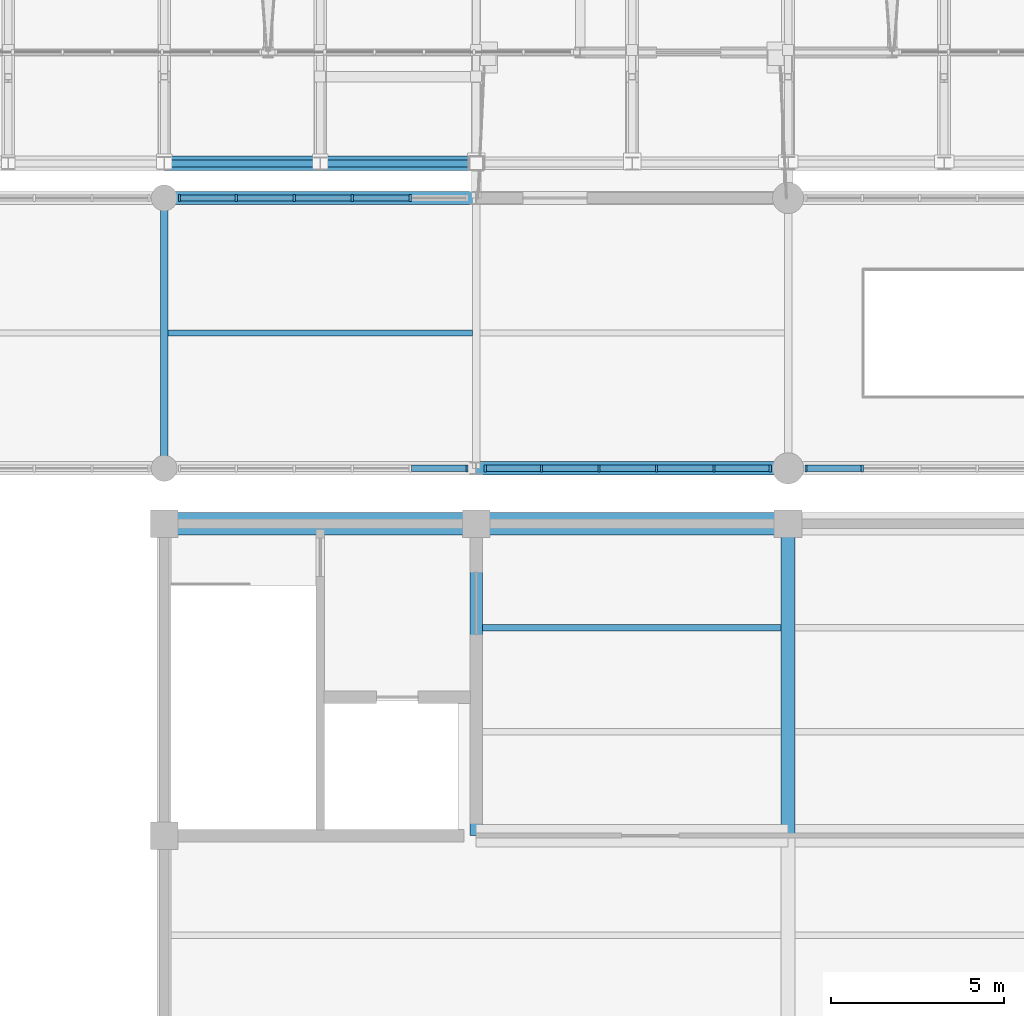
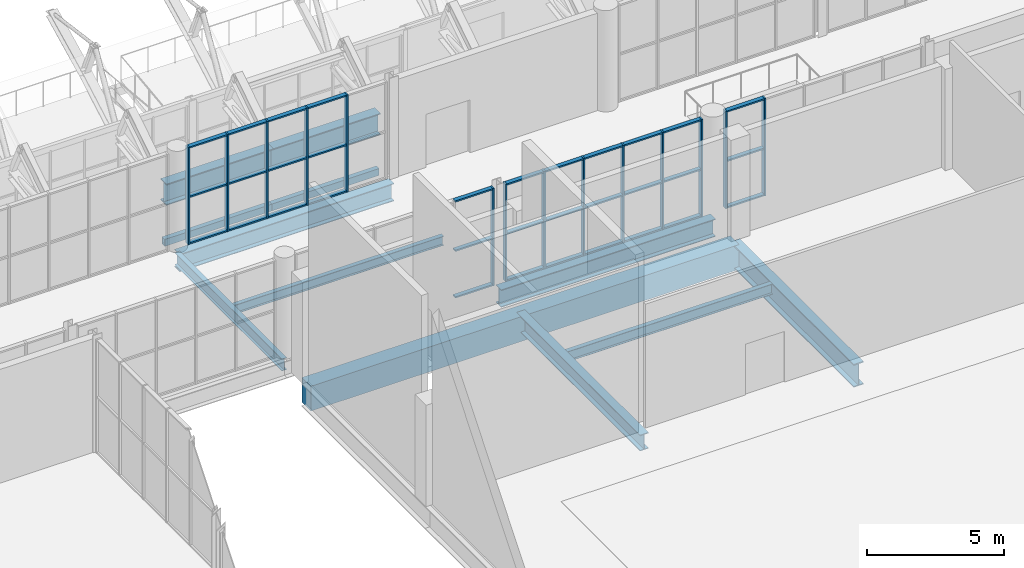
# One storey, part 36 of 134: 47 members, 12 beams, 4 elements without a shape of their own.
"""IFC4 building model written with IfcOpenShell, lengths in metres."""

import ifcopenshell
import ifcopenshell.guid

model = None  # the IFC model being written
_history = None  # IfcOwnerHistory: only IFC2X3 demands one
_inside = {}  # id of a spatial element -> (the spatial element, [elements in it])
_under = {}  # id of a project, library or spatial element -> (it, [spatial elements below it])
_declared = {}  # id of a project -> (the project, [libraries it declares])
_typed = {}  # id of a type object -> (the type object, [elements of that type])
_made_of = {}  # id of a material, layer set ... -> (it, [elements and type objects made of it])


def new_model(schema):
    """Start an empty IFC model of exactly this schema.

    Asked for "IFC4X3", IfcOpenShell would pick the latest addendum, in which some entities
    have other attributes; the version numbers below select the first issue.
    IFC2X3 requires an IfcOwnerHistory on every rooted entity: one is made here for all.
    """
    global model, _history
    if schema == "IFC4X3":
        model = ifcopenshell.file(schema_version=(4, 3, 0, 0))
    else:
        model = ifcopenshell.file(schema=schema)
    _inside.clear()
    _under.clear()
    _declared.clear()
    _typed.clear()
    _made_of.clear()
    _history = None
    if model.schema == "IFC2X3":
        org = make("IfcOrganization", Name="unknown")
        user = make(
            "IfcPersonAndOrganization",
            ThePerson=make("IfcPerson", FamilyName="unknown"),
            TheOrganization=org,
        )
        app = make(
            "IfcApplication",
            ApplicationDeveloper=org,
            Version="unknown",
            ApplicationFullName="unknown",
            ApplicationIdentifier="unknown",
        )
        _history = make(
            "IfcOwnerHistory",
            OwningUser=user,
            OwningApplication=app,
            ChangeAction="ADDED",
            CreationDate=0,
        )
    return model


def make(cls, **values):
    """One entity of the class cls with the attributes given. An attribute that is None is left unset."""
    return model.create_entity(
        cls, **{name: value for name, value in values.items() if value is not None}
    )


def rooted(cls, **values):
    """An entity with a GlobalId (a new one), such as an element, a storey or a relation."""
    return make(cls, GlobalId=ifcopenshell.guid.new(), OwnerHistory=_history, **values)


def si_unit(unit_type, name, prefix=None):
    """IfcSIUnit, for example si_unit("LENGTHUNIT", "METRE", prefix="MILLI")."""
    return make("IfcSIUnit", UnitType=unit_type, Prefix=prefix, Name=name)


def assignment(units):
    """IfcUnitAssignment: the units of a project."""
    return None if units is None else make("IfcUnitAssignment", Units=units)


def point(xyz):
    """IfcCartesianPoint."""
    return None if xyz is None else make("IfcCartesianPoint", Coordinates=xyz)


def direction(xyz):
    """IfcDirection."""
    return None if xyz is None else make("IfcDirection", DirectionRatios=xyz)


def frame(location, z_axis=None, x_axis=None):
    """IfcAxis2Placement3D, a coordinate frame: its origin and axes. An axis left out is left unset."""
    return make(
        "IfcAxis2Placement3D",
        Location=point(location),
        Axis=direction(z_axis),
        RefDirection=direction(x_axis),
    )


def frame_2d(location, x_axis=None):
    """IfcAxis2Placement2D, a coordinate frame in the plane: its origin and x axis."""
    return make(
        "IfcAxis2Placement2D", Location=point(location), RefDirection=direction(x_axis)
    )


def origin():
    """The frame at (0, 0, 0) with its axes left unset."""
    return frame((0.0, 0.0, 0.0))


def origin_2d():
    """The frame at (0, 0) in the plane with its x axis left unset."""
    return frame_2d((0.0, 0.0))


def place(relative_to, where):
    """IfcLocalPlacement: puts the frame where relative to a parent placement (None: the world)."""
    return make(
        "IfcLocalPlacement", PlacementRelTo=relative_to, RelativePlacement=where
    )


def context(
    kind, dimensions, precision=None, world=None, true_north=None, identifier=None
):
    """IfcGeometricRepresentationContext, for example the 3D "Model" context."""
    return make(
        "IfcGeometricRepresentationContext",
        ContextIdentifier=identifier,
        ContextType=kind,
        CoordinateSpaceDimension=dimensions,
        Precision=precision,
        WorldCoordinateSystem=world,
        TrueNorth=true_north,
    )


def subcontext(parent, identifier, kind, view, scale=None):
    """IfcGeometricRepresentationSubContext, for example "Body" below "Model"."""
    return make(
        "IfcGeometricRepresentationSubContext",
        ContextIdentifier=identifier,
        ContextType=kind,
        ParentContext=parent,
        TargetScale=scale,
        TargetView=view,
    )


def project(units=None, contexts=None):
    """IfcProject with its units and contexts."""
    return rooted(
        "IfcProject",
        Name="project",
        RepresentationContexts=contexts,
        UnitsInContext=assignment(units),
    )


def spatial(cls, under=None, at=None, **own):
    """A site, building, storey or space (cls), placed at a placement, below another one or the project."""
    s = rooted(cls, ObjectPlacement=at, **own)
    if under is not None:
        _under.setdefault(under.id(), (under, []))[1].append(s)
    return s


def profile(cls, at=None, kind="AREA", **sizes):
    """A parametric profile (cls). Its sizes go by their IFC names, for example OverallWidth=200.0."""
    return make(cls, ProfileType=kind, Position=at, **sizes)


def rectangle(**sizes):
    """IfcRectangleProfileDef."""
    return profile("IfcRectangleProfileDef", **sizes)


def hollow_rectangle(**sizes):
    """IfcRectangleHollowProfileDef."""
    return profile("IfcRectangleHollowProfileDef", **sizes)


def i_section(**sizes):
    """IfcIShapeProfileDef."""
    return profile("IfcIShapeProfileDef", **sizes)


def extrude(swept, where, along, depth):
    """IfcExtrudedAreaSolid: the profile swept, set in the frame where, extruded along a direction by depth."""
    return make(
        "IfcExtrudedAreaSolid",
        SweptArea=swept,
        Position=where,
        ExtrudedDirection=direction(along),
        Depth=depth,
    )


def shape(context_of_items, identifier, shape_type, items):
    """IfcShapeRepresentation: the items that make up one representation, for example the "Body"."""
    return make(
        "IfcShapeRepresentation",
        ContextOfItems=context_of_items,
        RepresentationIdentifier=identifier,
        RepresentationType=shape_type,
        Items=items,
    )


def material(Name=None, Category=None):
    """IfcMaterial."""
    return make("IfcMaterial", Name=Name, Category=Category)


def layer(
    of_material, thickness, ventilated=None, Name=None, Category=None, Priority=None
):
    """IfcMaterialLayer: one layer of a wall or slab, of a material (None: an air gap)."""
    return make(
        "IfcMaterialLayer",
        Material=of_material,
        LayerThickness=thickness,
        IsVentilated=ventilated,
        Name=Name,
        Category=Category,
        Priority=Priority,
    )


def layer_set(layers, Name=None):
    """IfcMaterialLayerSet."""
    return make("IfcMaterialLayerSet", MaterialLayers=layers, LayerSetName=Name)


def material_profile(
    of_material, cross_section, Name=None, Category=None, Priority=None
):
    """IfcMaterialProfile: a cross section and its material."""
    return make(
        "IfcMaterialProfile",
        Name=Name,
        Material=of_material,
        Profile=cross_section,
        Priority=Priority,
        Category=Category,
    )


def profile_set(profiles, Name=None, composite=None):
    """IfcMaterialProfileSet."""
    return make(
        "IfcMaterialProfileSet",
        Name=Name,
        MaterialProfiles=profiles,
        CompositeProfile=composite,
    )


def made_of(thing, what):
    """Note that an element or type object is made of a material, layer set ...; save() writes the relation."""
    if what is not None:
        _made_of.setdefault(what.id(), (what, []))[1].append(thing)
    return thing


def type_object(cls, material=None, **own):
    """A type object (cls), such as IfcWallType, which elements share."""
    return made_of(rooted(cls, **own), material)


def element(
    cls,
    number,
    at=None,
    inside=None,
    cuts=None,
    type_object=None,
    material=None,
    context=None,
    identifier="Body",
    shape_type=None,
    held_by="IfcProductDefinitionShape",
    body=None,
    shapes=None,
    **own,
):
    """One element of the class cls, such as IfcWall. Its Tag is "e" and its number.

    at: its placement. inside: the storey or other place that contains it. cuts: it is an
    opening in that element (IfcRelVoidsElement). A single representation is given by context,
    identifier, shape_type and body (its items); several are given by shapes. held_by: the class
    of the entity that holds the representations. save() writes the other relations.
    """
    e = rooted(cls, Tag="e%d" % number, ObjectPlacement=at, **own)
    if body is not None:
        shapes = [shape(context, identifier, shape_type, body)]
    if shapes is not None:
        e.Representation = make(held_by, Representations=shapes)
    if inside is not None:
        _inside.setdefault(inside.id(), (inside, []))[1].append(e)
    if cuts is not None:
        rooted(
            "IfcRelVoidsElement", RelatingBuildingElement=cuts, RelatedOpeningElement=e
        )
    if type_object is not None:
        _typed.setdefault(type_object.id(), (type_object, []))[1].append(e)
    return made_of(e, material)


def aggregate(whole, parts):
    """IfcRelAggregates: a whole, such as a stair, and the parts it consists of."""
    return rooted("IfcRelAggregates", RelatingObject=whole, RelatedObjects=parts)


def save(model, path):
    """Write the relations noted so far, then the file.

    IfcRelAggregates (storeys below a building ...), IfcRelContainedInSpatialStructure (elements
    in a storey), IfcRelDefinesByType, IfcRelAssociatesMaterial and IfcRelDeclares: one each for
    every whole, place, type object, material and project.
    """
    for whole, parts in _under.values():
        aggregate(whole, parts)
    for where, things in _inside.values():
        rooted(
            "IfcRelContainedInSpatialStructure",
            RelatedElements=things,
            RelatingStructure=where,
        )
    for kind, things in _typed.values():
        rooted("IfcRelDefinesByType", RelatedObjects=things, RelatingType=kind)
    for what, things in _made_of.values():
        rooted("IfcRelAssociatesMaterial", RelatedObjects=things, RelatingMaterial=what)
    for by, libraries in _declared.values():
        rooted("IfcRelDeclares", RelatingContext=by, RelatedDefinitions=libraries)
    model.write(path)


model = new_model("IFC4")

# Units and contexts
model_context = context("Model", 3, precision=1e-05, world=origin(), true_north=direction((0.0, 1.0)))
body_context = subcontext(model_context, "Body", "Model", "MODEL_VIEW")
ifc_project = project(units=[si_unit("LENGTHUNIT", "METRE"), si_unit("AREAUNIT", "SQUARE_METRE"), si_unit("VOLUMEUNIT", "CUBIC_METRE"), si_unit("PLANEANGLEUNIT", "RADIAN"), si_unit("MASSUNIT", "GRAM", prefix="KILO")], contexts=[model_context])

# Site, building, storey
site_placement = place(None, origin())
site = spatial("IfcSite", under=ifc_project, at=site_placement, CompositionType="ELEMENT")
building_placement = place(site_placement, origin())
building = spatial("IfcBuilding", under=site, at=building_placement, Name="Cazmaro Siding Exhibition Halls", CompositionType="ELEMENT")
storey_placement = place(building_placement, frame((0.0, 0.0, 12.0)))
storey = spatial("IfcBuildingStorey", under=building, at=storey_placement, Name="L02", CompositionType="ELEMENT", Elevation=12.0)

# Beam
ifc_material_1 = material(Name="Steel ASTM A992 Grade 50", Category="steel")
ifc_material_profile_1 = material_profile(ifc_material_1, i_section(OverallWidth=0.2099609375, OverallDepth=0.535888671875, WebThickness=0.010986328125, FlangeThickness=0.01708984375, at=origin_2d()), Name="W21X68")
ifc_profile_set_1 = profile_set([ifc_material_profile_1], Name="Steel ASTM A992 Grade 50")
beam_type_1 = type_object("IfcBeamType", Name="B-02", PredefinedType="BEAM", material=ifc_profile_set_1)
beam_1_placement = place(storey_placement, frame((72.0, 55.199951171875, -0.488037109375), z_axis=(0.0, 1.0, 0.0), x_axis=(-1.0, 0.0, 0.0)))
element("IfcBeam", 1, at=beam_1_placement, inside=storey, type_object=beam_type_1, Name="Beam B-02 BM-1697", PredefinedType="BEAM", context=body_context, shape_type="SweptSolid", body=[
    extrude(i_section(OverallWidth=0.2099609375, OverallDepth=0.535888671875, WebThickness=0.010986328125, FlangeThickness=0.01708984375, at=origin_2d()), origin(), (0.0, 0.0, 1.0), 7.800048828125),
])

# Curtain wall, member
ifc_material_2 = material(Name="Anodized Bronze Aluminum and Solar-Control Low-E Glazing", Category="aluminium")
ifc_layer = layer(ifc_material_2, 0.199951171875)
ifc_layer_set = layer_set([ifc_layer], Name="Anodized Bronze Aluminum and Solar-Control Low-E Glazing")
curtain_wall_type = type_object("IfcCurtainWallType", Name="CWS-02", PredefinedType="USERDEFINED", material=ifc_layer_set)
curtain_wall_1_placement = place(storey_placement, origin())
curtain_wall_1 = element("IfcCurtainWall", 2, at=curtain_wall_1_placement, inside=storey, type_object=curtain_wall_type, Name="Glazed Curtain Wall CWS-02 CW-164", ObjectType="GLAZED CURTAIN WALL", PredefinedType="USERDEFINED")
ifc_material_3 = material(Name="Anodized Bronze Extruded Aluminum", Category="aluminium")
ifc_material_profile_2 = material_profile(ifc_material_3, rectangle(XDim=0.199951171875, YDim=0.06494140625, at=origin_2d()), Name="CWM-02")
ifc_profile_set_2 = profile_set([ifc_material_profile_2], Name="Anodized Bronze Extruded Aluminum")
member_type_1 = type_object("IfcMemberType", Name="CWM-02", PredefinedType="MULLION", material=ifc_profile_set_2)
member_1_placement = place(storey_placement, frame((80.737548828125, 55.199951171875, 0.0), z_axis=(0.0, 0.0, 1.0), x_axis=(0.0, 1.0, 0.0)))
member_1 = element("IfcMember", 3, at=member_1_placement, type_object=member_type_1, Name="CWS-02 mullion 6", PredefinedType="MULLION", context=body_context, shape_type="SweptSolid", body=[
    extrude(rectangle(XDim=0.199951171875, YDim=0.06494140625, at=origin_2d()), origin(), (0.0, 0.0, 1.0), 4.324951171875),
])

# Curtain wall, members
curtain_wall_2_placement = place(storey_placement, origin())
curtain_wall_2 = element("IfcCurtainWall", 4, at=curtain_wall_2_placement, inside=storey, type_object=curtain_wall_type, Name="Glazed Curtain Wall CWS-02 CW-166", ObjectType="GLAZED CURTAIN WALL", PredefinedType="USERDEFINED")
member_2_placement = place(storey_placement, frame((79.09765625, 63.0, 0.0), z_axis=(0.0, 0.0, 1.0), x_axis=(0.0, -1.0, 0.0)))
member_2 = element("IfcMember", 5, at=member_2_placement, type_object=member_type_1, Name="CWS-02 mullion 2", PredefinedType="MULLION", context=body_context, shape_type="SweptSolid", body=[
    extrude(rectangle(XDim=0.199951171875, YDim=0.06494140625, at=origin_2d()), origin(), (0.0, 0.0, 1.0), 4.324951171875),
])
member_3_placement = place(storey_placement, frame((77.42529296875, 63.0, 0.0), z_axis=(0.0, 0.0, 1.0), x_axis=(0.0, -1.0, 0.0)))
member_3 = element("IfcMember", 6, at=member_3_placement, type_object=member_type_1, Name="CWS-02 mullion 3", PredefinedType="MULLION", context=body_context, shape_type="SweptSolid", body=[
    extrude(rectangle(XDim=0.199951171875, YDim=0.06494140625, at=origin_2d()), origin(), (0.0, 0.0, 1.0), 4.324951171875),
])
member_4_placement = place(storey_placement, frame((75.752685546875, 63.0, 0.0), z_axis=(0.0, 0.0, 1.0), x_axis=(0.0, -1.0, 0.0)))
member_4 = element("IfcMember", 7, at=member_4_placement, type_object=member_type_1, Name="CWS-02 mullion 4", PredefinedType="MULLION", context=body_context, shape_type="SweptSolid", body=[
    extrude(rectangle(XDim=0.199951171875, YDim=0.06494140625, at=origin_2d()), origin(), (0.0, 0.0, 1.0), 4.324951171875),
])
member_5_placement = place(storey_placement, frame((74.080322265625, 63.0, 0.0), z_axis=(0.0, 0.0, 1.0), x_axis=(0.0, -1.0, 0.0)))
member_5 = element("IfcMember", 8, at=member_5_placement, type_object=member_type_1, Name="CWS-02 mullion 5", PredefinedType="MULLION", context=body_context, shape_type="SweptSolid", body=[
    extrude(rectangle(XDim=0.199951171875, YDim=0.06494140625, at=origin_2d()), origin(), (0.0, 0.0, 1.0), 4.324951171875),
])
member_6_placement = place(storey_placement, frame((72.4404296875, 63.0, 0.0), z_axis=(0.0, 0.0, 1.0), x_axis=(0.0, -1.0, 0.0)))
member_6 = element("IfcMember", 9, at=member_6_placement, type_object=member_type_1, Name="CWS-02 mullion 6", PredefinedType="MULLION", context=body_context, shape_type="SweptSolid", body=[
    extrude(rectangle(XDim=0.199951171875, YDim=0.06494140625, at=origin_2d()), origin(), (0.0, 0.0, 1.0), 4.324951171875),
])

curtain_wall_3_placement = place(storey_placement, origin())
curtain_wall_3 = element("IfcCurtainWall", 10, at=curtain_wall_3_placement, inside=storey, type_object=curtain_wall_type, Name="Glazed Curtain Wall CWS-02 CW-169", ObjectType="GLAZED CURTAIN WALL", PredefinedType="USERDEFINED")
member_7_placement = place(storey_placement, frame((81.262451171875, 55.199951171875, 0.0), z_axis=(0.0, 0.0, 1.0), x_axis=(0.0, 1.0, 0.0)))
member_7 = element("IfcMember", 11, at=member_7_placement, type_object=member_type_1, Name="CWS-02 mullion 1", PredefinedType="MULLION", context=body_context, shape_type="SweptSolid", body=[
    extrude(rectangle(XDim=0.199951171875, YDim=0.06494140625, at=origin_2d()), origin(), (0.0, 0.0, 1.0), 4.324951171875),
])
member_8_placement = place(storey_placement, frame((82.887451171875, 55.199951171875, 0.0), z_axis=(0.0, 0.0, 1.0), x_axis=(0.0, 1.0, 0.0)))
member_8 = element("IfcMember", 12, at=member_8_placement, type_object=member_type_1, Name="CWS-02 mullion 2", PredefinedType="MULLION", context=body_context, shape_type="SweptSolid", body=[
    extrude(rectangle(XDim=0.199951171875, YDim=0.06494140625, at=origin_2d()), origin(), (0.0, 0.0, 1.0), 4.324951171875),
])
member_9_placement = place(storey_placement, frame((84.544921875, 55.199951171875, 0.0), z_axis=(0.0, 0.0, 1.0), x_axis=(0.0, 1.0, 0.0)))
member_9 = element("IfcMember", 13, at=member_9_placement, type_object=member_type_1, Name="CWS-02 mullion 3", PredefinedType="MULLION", context=body_context, shape_type="SweptSolid", body=[
    extrude(rectangle(XDim=0.199951171875, YDim=0.06494140625, at=origin_2d()), origin(), (0.0, 0.0, 1.0), 4.324951171875),
])
member_10_placement = place(storey_placement, frame((86.2021484375, 55.199951171875, 0.0), z_axis=(0.0, 0.0, 1.0), x_axis=(0.0, 1.0, 0.0)))
member_10 = element("IfcMember", 14, at=member_10_placement, type_object=member_type_1, Name="CWS-02 mullion 4", PredefinedType="MULLION", context=body_context, shape_type="SweptSolid", body=[
    extrude(rectangle(XDim=0.199951171875, YDim=0.06494140625, at=origin_2d()), origin(), (0.0, 0.0, 1.0), 4.324951171875),
])
member_11_placement = place(storey_placement, frame((87.859619140625, 55.199951171875, 0.0), z_axis=(0.0, 0.0, 1.0), x_axis=(0.0, 1.0, 0.0)))
member_11 = element("IfcMember", 15, at=member_11_placement, type_object=member_type_1, Name="CWS-02 mullion 5", PredefinedType="MULLION", context=body_context, shape_type="SweptSolid", body=[
    extrude(rectangle(XDim=0.199951171875, YDim=0.06494140625, at=origin_2d()), origin(), (0.0, 0.0, 1.0), 4.324951171875),
])
member_12_placement = place(storey_placement, frame((89.484619140625, 55.199951171875, 0.0), z_axis=(0.0, 0.0, 1.0), x_axis=(0.0, 1.0, 0.0)))
member_12 = element("IfcMember", 16, at=member_12_placement, type_object=member_type_1, Name="CWS-02 mullion 6", PredefinedType="MULLION", context=body_context, shape_type="SweptSolid", body=[
    extrude(rectangle(XDim=0.199951171875, YDim=0.06494140625, at=origin_2d()), origin(), (0.0, 0.0, 1.0), 4.324951171875),
])

curtain_wall_4_placement = place(storey_placement, origin())
curtain_wall_4 = element("IfcCurtainWall", 17, at=curtain_wall_4_placement, inside=storey, type_object=curtain_wall_type, Name="Glazed Curtain Wall CWS-02 CW-173", ObjectType="GLAZED CURTAIN WALL", PredefinedType="USERDEFINED")
member_13_placement = place(storey_placement, frame((90.515380859375, 55.199951171875, 0.0), z_axis=(0.0, 0.0, 1.0), x_axis=(0.0, 1.0, 0.0)))
member_13 = element("IfcMember", 18, at=member_13_placement, type_object=member_type_1, Name="CWS-02 mullion 1", PredefinedType="MULLION", context=body_context, shape_type="SweptSolid", body=[
    extrude(rectangle(XDim=0.199951171875, YDim=0.06494140625, at=origin_2d()), origin(), (0.0, 0.0, 1.0), 4.324951171875),
])
member_14_placement = place(storey_placement, frame((92.140380859375, 55.199951171875, 0.0), z_axis=(0.0, 0.0, 1.0), x_axis=(0.0, 1.0, 0.0)))
member_14 = element("IfcMember", 19, at=member_14_placement, type_object=member_type_1, Name="CWS-02 mullion 2", PredefinedType="MULLION", context=body_context, shape_type="SweptSolid", body=[
    extrude(rectangle(XDim=0.199951171875, YDim=0.06494140625, at=origin_2d()), origin(), (0.0, 0.0, 1.0), 4.324951171875),
])

# Member
ifc_material_4 = material(Name="Anodized Bronze Extruded Aluminum", Category="aluminium")
ifc_material_profile_3 = material_profile(ifc_material_4, rectangle(XDim=0.179931640625, YDim=0.06494140625, at=origin_2d()), Name="CWT-02")
ifc_profile_set_3 = profile_set([ifc_material_profile_3], Name="Anodized Bronze Extruded Aluminum")
member_type_2 = type_object("IfcMemberType", Name="CWT-02", PredefinedType="MULLION", material=ifc_profile_set_3)
member_15_placement = place(storey_placement, frame((79.130126953125, 55.199951171875, 0.032470703125), z_axis=(1.0, 0.0, 0.0), x_axis=(0.0, 1.0, 0.0)))
member_15 = element("IfcMember", 20, at=member_15_placement, type_object=member_type_2, Name="CWS-02 transom 5.1", ObjectType="TRANSOM", PredefinedType="USERDEFINED", context=body_context, shape_type="SweptSolid", body=[
    extrude(rectangle(XDim=0.179931640625, YDim=0.06494140625, at=origin_2d()), origin(), (0.0, 0.0, 1.0), 1.574951171875),
])

member_16_placement = place(storey_placement, frame((79.130126953125, 55.199951171875, 2.10009765625), z_axis=(1.0, 0.0, 0.0), x_axis=(0.0, 1.0, 0.0)))
member_16 = element("IfcMember", 21, at=member_16_placement, type_object=member_type_2, Name="CWS-02 transom 5.2", ObjectType="TRANSOM", PredefinedType="USERDEFINED", context=body_context, shape_type="SweptSolid", body=[
    extrude(rectangle(XDim=0.179931640625, YDim=0.06494140625, at=origin_2d()), origin(), (0.0, 0.0, 1.0), 1.574951171875),
])

member_17_placement = place(storey_placement, frame((79.130126953125, 55.199951171875, 4.29248046875), z_axis=(1.0, 0.0, 0.0), x_axis=(0.0, 1.0, 0.0)))
member_17 = element("IfcMember", 22, at=member_17_placement, type_object=member_type_2, Name="CWS-02 transom 5.3", ObjectType="TRANSOM", PredefinedType="USERDEFINED", context=body_context, shape_type="SweptSolid", body=[
    extrude(rectangle(XDim=0.179931640625, YDim=0.06494140625, at=origin_2d()), origin(), (0.0, 0.0, 1.0), 1.574951171875),
])

aggregate(curtain_wall_1, [member_1, member_15, member_16, member_17])

member_18_placement = place(storey_placement, frame((79.065185546875, 63.0, 0.032470703125), z_axis=(-1.0, 0.0, 0.0), x_axis=(0.0, -1.0, 0.0)))
member_18 = element("IfcMember", 23, at=member_18_placement, type_object=member_type_2, Name="CWS-02 transom 2.1", ObjectType="TRANSOM", PredefinedType="USERDEFINED", context=body_context, shape_type="SweptSolid", body=[
    extrude(rectangle(XDim=0.179931640625, YDim=0.06494140625, at=origin_2d()), origin(), (0.0, 0.0, 1.0), 1.607421875),
])

member_19_placement = place(storey_placement, frame((79.065185546875, 63.0, 2.10009765625), z_axis=(-1.0, 0.0, 0.0), x_axis=(0.0, -1.0, 0.0)))
member_19 = element("IfcMember", 24, at=member_19_placement, type_object=member_type_2, Name="CWS-02 transom 2.2", ObjectType="TRANSOM", PredefinedType="USERDEFINED", context=body_context, shape_type="SweptSolid", body=[
    extrude(rectangle(XDim=0.179931640625, YDim=0.06494140625, at=origin_2d()), origin(), (0.0, 0.0, 1.0), 1.607421875),
])

member_20_placement = place(storey_placement, frame((79.065185546875, 63.0, 4.29248046875), z_axis=(-1.0, 0.0, 0.0), x_axis=(0.0, -1.0, 0.0)))
member_20 = element("IfcMember", 25, at=member_20_placement, type_object=member_type_2, Name="CWS-02 transom 2.3", ObjectType="TRANSOM", PredefinedType="USERDEFINED", context=body_context, shape_type="SweptSolid", body=[
    extrude(rectangle(XDim=0.179931640625, YDim=0.06494140625, at=origin_2d()), origin(), (0.0, 0.0, 1.0), 1.607421875),
])

member_21_placement = place(storey_placement, frame((77.392578125, 63.0, 0.032470703125), z_axis=(-1.0, 0.0, 0.0), x_axis=(0.0, -1.0, 0.0)))
member_21 = element("IfcMember", 26, at=member_21_placement, type_object=member_type_2, Name="CWS-02 transom 3.1", ObjectType="TRANSOM", PredefinedType="USERDEFINED", context=body_context, shape_type="SweptSolid", body=[
    extrude(rectangle(XDim=0.179931640625, YDim=0.06494140625, at=origin_2d()), origin(), (0.0, 0.0, 1.0), 1.607177734375),
])

member_22_placement = place(storey_placement, frame((77.392578125, 63.0, 2.10009765625), z_axis=(-1.0, 0.0, 0.0), x_axis=(0.0, -1.0, 0.0)))
member_22 = element("IfcMember", 27, at=member_22_placement, type_object=member_type_2, Name="CWS-02 transom 3.2", ObjectType="TRANSOM", PredefinedType="USERDEFINED", context=body_context, shape_type="SweptSolid", body=[
    extrude(rectangle(XDim=0.179931640625, YDim=0.06494140625, at=origin_2d()), origin(), (0.0, 0.0, 1.0), 1.607177734375),
])

member_23_placement = place(storey_placement, frame((77.392578125, 63.0, 4.29248046875), z_axis=(-1.0, 0.0, 0.0), x_axis=(0.0, -1.0, 0.0)))
member_23 = element("IfcMember", 28, at=member_23_placement, type_object=member_type_2, Name="CWS-02 transom 3.3", ObjectType="TRANSOM", PredefinedType="USERDEFINED", context=body_context, shape_type="SweptSolid", body=[
    extrude(rectangle(XDim=0.179931640625, YDim=0.06494140625, at=origin_2d()), origin(), (0.0, 0.0, 1.0), 1.607177734375),
])

member_24_placement = place(storey_placement, frame((75.72021484375, 63.0, 0.032470703125), z_axis=(-1.0, 0.0, 0.0), x_axis=(0.0, -1.0, 0.0)))
member_24 = element("IfcMember", 29, at=member_24_placement, type_object=member_type_2, Name="CWS-02 transom 4.1", ObjectType="TRANSOM", PredefinedType="USERDEFINED", context=body_context, shape_type="SweptSolid", body=[
    extrude(rectangle(XDim=0.179931640625, YDim=0.06494140625, at=origin_2d()), origin(), (0.0, 0.0, 1.0), 1.607421875),
])

member_25_placement = place(storey_placement, frame((75.72021484375, 63.0, 2.10009765625), z_axis=(-1.0, 0.0, 0.0), x_axis=(0.0, -1.0, 0.0)))
member_25 = element("IfcMember", 30, at=member_25_placement, type_object=member_type_2, Name="CWS-02 transom 4.2", ObjectType="TRANSOM", PredefinedType="USERDEFINED", context=body_context, shape_type="SweptSolid", body=[
    extrude(rectangle(XDim=0.179931640625, YDim=0.06494140625, at=origin_2d()), origin(), (0.0, 0.0, 1.0), 1.607421875),
])

member_26_placement = place(storey_placement, frame((75.72021484375, 63.0, 4.29248046875), z_axis=(-1.0, 0.0, 0.0), x_axis=(0.0, -1.0, 0.0)))
member_26 = element("IfcMember", 31, at=member_26_placement, type_object=member_type_2, Name="CWS-02 transom 4.3", ObjectType="TRANSOM", PredefinedType="USERDEFINED", context=body_context, shape_type="SweptSolid", body=[
    extrude(rectangle(XDim=0.179931640625, YDim=0.06494140625, at=origin_2d()), origin(), (0.0, 0.0, 1.0), 1.607421875),
])

member_27_placement = place(storey_placement, frame((74.0478515625, 63.0, 0.032470703125), z_axis=(-1.0, 0.0, 0.0), x_axis=(0.0, -1.0, 0.0)))
member_27 = element("IfcMember", 32, at=member_27_placement, type_object=member_type_2, Name="CWS-02 transom 5.1", ObjectType="TRANSOM", PredefinedType="USERDEFINED", context=body_context, shape_type="SweptSolid", body=[
    extrude(rectangle(XDim=0.179931640625, YDim=0.06494140625, at=origin_2d()), origin(), (0.0, 0.0, 1.0), 1.574951171875),
])

member_28_placement = place(storey_placement, frame((74.0478515625, 63.0, 2.10009765625), z_axis=(-1.0, 0.0, 0.0), x_axis=(0.0, -1.0, 0.0)))
member_28 = element("IfcMember", 33, at=member_28_placement, type_object=member_type_2, Name="CWS-02 transom 5.2", ObjectType="TRANSOM", PredefinedType="USERDEFINED", context=body_context, shape_type="SweptSolid", body=[
    extrude(rectangle(XDim=0.179931640625, YDim=0.06494140625, at=origin_2d()), origin(), (0.0, 0.0, 1.0), 1.574951171875),
])

member_29_placement = place(storey_placement, frame((74.0478515625, 63.0, 4.29248046875), z_axis=(-1.0, 0.0, 0.0), x_axis=(0.0, -1.0, 0.0)))
member_29 = element("IfcMember", 34, at=member_29_placement, type_object=member_type_2, Name="CWS-02 transom 5.3", ObjectType="TRANSOM", PredefinedType="USERDEFINED", context=body_context, shape_type="SweptSolid", body=[
    extrude(rectangle(XDim=0.179931640625, YDim=0.06494140625, at=origin_2d()), origin(), (0.0, 0.0, 1.0), 1.574951171875),
])

aggregate(curtain_wall_2, [member_2, member_3, member_4, member_5, member_6, member_18, member_19, member_20, member_21, member_22, member_23, member_24, member_25, member_26, member_27, member_28, member_29])

member_30_placement = place(storey_placement, frame((81.294921875, 55.199951171875, 0.032470703125), z_axis=(1.0, 0.0, 0.0), x_axis=(0.0, 1.0, 0.0)))
member_30 = element("IfcMember", 35, at=member_30_placement, type_object=member_type_2, Name="CWS-02 transom 1.1", ObjectType="TRANSOM", PredefinedType="USERDEFINED", context=body_context, shape_type="SweptSolid", body=[
    extrude(rectangle(XDim=0.179931640625, YDim=0.06494140625, at=origin_2d()), origin(), (0.0, 0.0, 1.0), 1.56005859375),
])

member_31_placement = place(storey_placement, frame((81.294921875, 55.199951171875, 2.10009765625), z_axis=(1.0, 0.0, 0.0), x_axis=(0.0, 1.0, 0.0)))
member_31 = element("IfcMember", 36, at=member_31_placement, type_object=member_type_2, Name="CWS-02 transom 1.2", ObjectType="TRANSOM", PredefinedType="USERDEFINED", context=body_context, shape_type="SweptSolid", body=[
    extrude(rectangle(XDim=0.179931640625, YDim=0.06494140625, at=origin_2d()), origin(), (0.0, 0.0, 1.0), 1.56005859375),
])

member_32_placement = place(storey_placement, frame((81.294921875, 55.199951171875, 4.29248046875), z_axis=(1.0, 0.0, 0.0), x_axis=(0.0, 1.0, 0.0)))
member_32 = element("IfcMember", 37, at=member_32_placement, type_object=member_type_2, Name="CWS-02 transom 1.3", ObjectType="TRANSOM", PredefinedType="USERDEFINED", context=body_context, shape_type="SweptSolid", body=[
    extrude(rectangle(XDim=0.179931640625, YDim=0.06494140625, at=origin_2d()), origin(), (0.0, 0.0, 1.0), 1.56005859375),
])

member_33_placement = place(storey_placement, frame((82.919921875, 55.199951171875, 0.032470703125), z_axis=(1.0, 0.0, 0.0), x_axis=(0.0, 1.0, 0.0)))
member_33 = element("IfcMember", 38, at=member_33_placement, type_object=member_type_2, Name="CWS-02 transom 2.1", ObjectType="TRANSOM", PredefinedType="USERDEFINED", context=body_context, shape_type="SweptSolid", body=[
    extrude(rectangle(XDim=0.179931640625, YDim=0.06494140625, at=origin_2d()), origin(), (0.0, 0.0, 1.0), 1.59228515625),
])

member_34_placement = place(storey_placement, frame((82.919921875, 55.199951171875, 2.10009765625), z_axis=(1.0, 0.0, 0.0), x_axis=(0.0, 1.0, 0.0)))
member_34 = element("IfcMember", 39, at=member_34_placement, type_object=member_type_2, Name="CWS-02 transom 2.2", ObjectType="TRANSOM", PredefinedType="USERDEFINED", context=body_context, shape_type="SweptSolid", body=[
    extrude(rectangle(XDim=0.179931640625, YDim=0.06494140625, at=origin_2d()), origin(), (0.0, 0.0, 1.0), 1.59228515625),
])

member_35_placement = place(storey_placement, frame((82.919921875, 55.199951171875, 4.29248046875), z_axis=(1.0, 0.0, 0.0), x_axis=(0.0, 1.0, 0.0)))
member_35 = element("IfcMember", 40, at=member_35_placement, type_object=member_type_2, Name="CWS-02 transom 2.3", ObjectType="TRANSOM", PredefinedType="USERDEFINED", context=body_context, shape_type="SweptSolid", body=[
    extrude(rectangle(XDim=0.179931640625, YDim=0.06494140625, at=origin_2d()), origin(), (0.0, 0.0, 1.0), 1.59228515625),
])

member_36_placement = place(storey_placement, frame((84.577392578125, 55.199951171875, 0.032470703125), z_axis=(1.0, 0.0, 0.0), x_axis=(0.0, 1.0, 0.0)))
member_36 = element("IfcMember", 41, at=member_36_placement, type_object=member_type_2, Name="CWS-02 transom 3.1", ObjectType="TRANSOM", PredefinedType="USERDEFINED", context=body_context, shape_type="SweptSolid", body=[
    extrude(rectangle(XDim=0.179931640625, YDim=0.06494140625, at=origin_2d()), origin(), (0.0, 0.0, 1.0), 1.59228515625),
])

member_37_placement = place(storey_placement, frame((84.577392578125, 55.199951171875, 2.10009765625), z_axis=(1.0, 0.0, 0.0), x_axis=(0.0, 1.0, 0.0)))
member_37 = element("IfcMember", 42, at=member_37_placement, type_object=member_type_2, Name="CWS-02 transom 3.2", ObjectType="TRANSOM", PredefinedType="USERDEFINED", context=body_context, shape_type="SweptSolid", body=[
    extrude(rectangle(XDim=0.179931640625, YDim=0.06494140625, at=origin_2d()), origin(), (0.0, 0.0, 1.0), 1.59228515625),
])

member_38_placement = place(storey_placement, frame((84.577392578125, 55.199951171875, 4.29248046875), z_axis=(1.0, 0.0, 0.0), x_axis=(0.0, 1.0, 0.0)))
member_38 = element("IfcMember", 43, at=member_38_placement, type_object=member_type_2, Name="CWS-02 transom 3.3", ObjectType="TRANSOM", PredefinedType="USERDEFINED", context=body_context, shape_type="SweptSolid", body=[
    extrude(rectangle(XDim=0.179931640625, YDim=0.06494140625, at=origin_2d()), origin(), (0.0, 0.0, 1.0), 1.59228515625),
])

member_39_placement = place(storey_placement, frame((86.234619140625, 55.199951171875, 0.032470703125), z_axis=(1.0, 0.0, 0.0), x_axis=(0.0, 1.0, 0.0)))
member_39 = element("IfcMember", 44, at=member_39_placement, type_object=member_type_2, Name="CWS-02 transom 4.1", ObjectType="TRANSOM", PredefinedType="USERDEFINED", context=body_context, shape_type="SweptSolid", body=[
    extrude(rectangle(XDim=0.179931640625, YDim=0.06494140625, at=origin_2d()), origin(), (0.0, 0.0, 1.0), 1.592529296875),
])

member_40_placement = place(storey_placement, frame((86.234619140625, 55.199951171875, 2.10009765625), z_axis=(1.0, 0.0, 0.0), x_axis=(0.0, 1.0, 0.0)))
member_40 = element("IfcMember", 45, at=member_40_placement, type_object=member_type_2, Name="CWS-02 transom 4.2", ObjectType="TRANSOM", PredefinedType="USERDEFINED", context=body_context, shape_type="SweptSolid", body=[
    extrude(rectangle(XDim=0.179931640625, YDim=0.06494140625, at=origin_2d()), origin(), (0.0, 0.0, 1.0), 1.592529296875),
])

member_41_placement = place(storey_placement, frame((86.234619140625, 55.199951171875, 4.29248046875), z_axis=(1.0, 0.0, 0.0), x_axis=(0.0, 1.0, 0.0)))
member_41 = element("IfcMember", 46, at=member_41_placement, type_object=member_type_2, Name="CWS-02 transom 4.3", ObjectType="TRANSOM", PredefinedType="USERDEFINED", context=body_context, shape_type="SweptSolid", body=[
    extrude(rectangle(XDim=0.179931640625, YDim=0.06494140625, at=origin_2d()), origin(), (0.0, 0.0, 1.0), 1.592529296875),
])

member_42_placement = place(storey_placement, frame((87.89208984375, 55.199951171875, 0.032470703125), z_axis=(1.0, 0.0, 0.0), x_axis=(0.0, 1.0, 0.0)))
member_42 = element("IfcMember", 47, at=member_42_placement, type_object=member_type_2, Name="CWS-02 transom 5.1", ObjectType="TRANSOM", PredefinedType="USERDEFINED", context=body_context, shape_type="SweptSolid", body=[
    extrude(rectangle(XDim=0.179931640625, YDim=0.06494140625, at=origin_2d()), origin(), (0.0, 0.0, 1.0), 1.559814453125),
])

member_43_placement = place(storey_placement, frame((87.89208984375, 55.199951171875, 2.10009765625), z_axis=(1.0, 0.0, 0.0), x_axis=(0.0, 1.0, 0.0)))
member_43 = element("IfcMember", 48, at=member_43_placement, type_object=member_type_2, Name="CWS-02 transom 5.2", ObjectType="TRANSOM", PredefinedType="USERDEFINED", context=body_context, shape_type="SweptSolid", body=[
    extrude(rectangle(XDim=0.179931640625, YDim=0.06494140625, at=origin_2d()), origin(), (0.0, 0.0, 1.0), 1.559814453125),
])

member_44_placement = place(storey_placement, frame((87.89208984375, 55.199951171875, 4.29248046875), z_axis=(1.0, 0.0, 0.0), x_axis=(0.0, 1.0, 0.0)))
member_44 = element("IfcMember", 49, at=member_44_placement, type_object=member_type_2, Name="CWS-02 transom 5.3", ObjectType="TRANSOM", PredefinedType="USERDEFINED", context=body_context, shape_type="SweptSolid", body=[
    extrude(rectangle(XDim=0.179931640625, YDim=0.06494140625, at=origin_2d()), origin(), (0.0, 0.0, 1.0), 1.559814453125),
])

aggregate(curtain_wall_3, [member_7, member_8, member_9, member_10, member_11, member_12, member_30, member_31, member_32, member_33, member_34, member_35, member_36, member_37, member_38, member_39, member_40, member_41, member_42, member_43, member_44])

member_45_placement = place(storey_placement, frame((90.548095703125, 55.199951171875, 0.032470703125), z_axis=(1.0, 0.0, 0.0), x_axis=(0.0, 1.0, 0.0)))
member_45 = element("IfcMember", 50, at=member_45_placement, type_object=member_type_2, Name="CWS-02 transom 1.1", ObjectType="TRANSOM", PredefinedType="USERDEFINED", context=body_context, shape_type="SweptSolid", body=[
    extrude(rectangle(XDim=0.179931640625, YDim=0.06494140625, at=origin_2d()), origin(), (0.0, 0.0, 1.0), 1.559814453125),
])

member_46_placement = place(storey_placement, frame((90.548095703125, 55.199951171875, 2.10009765625), z_axis=(1.0, 0.0, 0.0), x_axis=(0.0, 1.0, 0.0)))
member_46 = element("IfcMember", 51, at=member_46_placement, type_object=member_type_2, Name="CWS-02 transom 1.2", ObjectType="TRANSOM", PredefinedType="USERDEFINED", context=body_context, shape_type="SweptSolid", body=[
    extrude(rectangle(XDim=0.179931640625, YDim=0.06494140625, at=origin_2d()), origin(), (0.0, 0.0, 1.0), 1.559814453125),
])

member_47_placement = place(storey_placement, frame((90.548095703125, 55.199951171875, 4.29248046875), z_axis=(1.0, 0.0, 0.0), x_axis=(0.0, 1.0, 0.0)))
member_47 = element("IfcMember", 52, at=member_47_placement, type_object=member_type_2, Name="CWS-02 transom 1.3", ObjectType="TRANSOM", PredefinedType="USERDEFINED", context=body_context, shape_type="SweptSolid", body=[
    extrude(rectangle(XDim=0.179931640625, YDim=0.06494140625, at=origin_2d()), origin(), (0.0, 0.0, 1.0), 1.559814453125),
])

aggregate(curtain_wall_4, [member_13, member_14, member_45, member_46, member_47])

# Beams
ifc_material_5 = material(Name="Steel ASTM A992 Grade 50", Category="steel")
ifc_material_profile_4 = material_profile(ifc_material_5, i_section(OverallWidth=0.424072265625, OverallDepth=0.947021484375, WebThickness=0.02392578125, FlangeThickness=0.04296875, at=origin_2d()), Name="W36X302")
ifc_profile_set_4 = profile_set([ifc_material_profile_4], Name="Steel ASTM A992 Grade 50")
beam_type_2 = type_object("IfcBeamType", Name="G-01", PredefinedType="USERDEFINED", material=ifc_profile_set_4)
for number, where, z_axis, x_axis, name in (
    (53, (72.0, 64.0, 1.826904296875), (1.0, 0.0, 0.0), (0.0, 1.0, 0.0), "Beam G-01 BM-0099"),
    (54, (76.5, 64.0, 1.826904296875), (1.0, 0.0, 0.0), (0.0, 1.0, 0.0), "Beam G-01 BM-0105"),
):
    element("IfcBeam", number, at=place(storey_placement, frame(where, z_axis=z_axis, x_axis=x_axis)), inside=storey, type_object=beam_type_2, Name=name, ObjectType="GIRDER", PredefinedType="USERDEFINED", context=body_context, shape_type="SweptSolid", body=[
        extrude(i_section(OverallWidth=0.424072265625, OverallDepth=0.947021484375, WebThickness=0.02392578125, FlangeThickness=0.04296875, at=origin_2d()), origin(), (0.0, 0.0, 1.0), 4.5),
    ])
ifc_material_6 = material(Name="Steel ASTM A992 Grade 50", Category="steel")
ifc_material_profile_5 = material_profile(ifc_material_6, i_section(OverallWidth=0.381103515625, OverallDepth=0.779052734375, WebThickness=0.01806640625, FlangeThickness=0.030029296875, at=origin_2d()), Name="W30X191")
ifc_profile_set_5 = profile_set([ifc_material_profile_5], Name="Steel ASTM A992 Grade 50")
beam_type_3 = type_object("IfcBeamType", Name="G-04", PredefinedType="USERDEFINED", material=ifc_profile_set_5)
for number, where, z_axis, x_axis, name in (
    (55, (72.0, 63.0, -0.610107421875), (1.0, 0.0, 0.0), (0.0, 1.0, 0.0), "Beam G-04 BM-1605"),
    (56, (81.0, 55.199951171875, -0.610107421875), (1.0, 0.0, 0.0), (0.0, 1.0, 0.0), "Beam G-04 BM-1613"),
):
    element("IfcBeam", number, at=place(storey_placement, frame(where, z_axis=z_axis, x_axis=x_axis)), inside=storey, type_object=beam_type_3, Name=name, ObjectType="GIRDER", PredefinedType="USERDEFINED", context=body_context, shape_type="SweptSolid", body=[
        extrude(i_section(OverallWidth=0.381103515625, OverallDepth=0.779052734375, WebThickness=0.01806640625, FlangeThickness=0.030029296875, at=origin_2d()), origin(), (0.0, 0.0, 1.0), 9.0),
    ])
ifc_material_7 = material(Name="Steel ASTM A992 Grade 50", Category="steel")
ifc_material_profile_6 = material_profile(ifc_material_7, i_section(OverallWidth=0.404052734375, OverallDepth=1.02099609375, WebThickness=0.02490234375, FlangeThickness=0.0458984375, at=origin_2d()), Name="W40X324")
ifc_profile_set_6 = profile_set([ifc_material_profile_6], Name="Steel ASTM A992 Grade 50")
beam_type_4 = type_object("IfcBeamType", Name="G-06", PredefinedType="USERDEFINED", material=ifc_profile_set_6)
beam_2_placement = place(storey_placement, frame((90.0, 44.60009765625, -0.81103515625), z_axis=(0.0, 1.0, 0.0), x_axis=(-1.0, 0.0, 0.0)))
element("IfcBeam", 57, at=beam_2_placement, inside=storey, type_object=beam_type_4, Name="Beam G-06 BM-1445", ObjectType="GIRDER", PredefinedType="USERDEFINED", context=body_context, shape_type="SweptSolid", body=[
    extrude(i_section(OverallWidth=0.404052734375, OverallDepth=1.02099609375, WebThickness=0.02490234375, FlangeThickness=0.0458984375, at=origin_2d()), origin(), (0.0, 0.0, 1.0), 9.0),
])
ifc_material_8 = material(Name="Concrete f'c 45 MPa", Category="concrete")
ifc_material_profile_7 = material_profile(ifc_material_8, rectangle(XDim=0.64990234375, YDim=1.10009765625, at=origin_2d()), Name="RC1100X650")
ifc_profile_set_7 = profile_set([ifc_material_profile_7], Name="Concrete f'c 45 MPa")
beam_type_5 = type_object("IfcBeamType", Name="G-08", PredefinedType="USERDEFINED", material=ifc_profile_set_7)
beam_3_placement = place(storey_placement, frame((72.0, 53.60009765625, -0.85009765625), z_axis=(1.0, 0.0, 0.0), x_axis=(0.0, 1.0, 0.0)))
element("IfcBeam", 58, at=beam_3_placement, inside=storey, type_object=beam_type_5, Name="Beam G-08 BM-1316", ObjectType="GIRDER", PredefinedType="USERDEFINED", context=body_context, shape_type="SweptSolid", body=[
    extrude(rectangle(XDim=0.64990234375, YDim=1.10009765625, at=origin_2d()), origin(), (0.0, 0.0, 1.0), 18.0),
])
ifc_material_9 = material(Name="Steel ASTM A992 Grade 50", Category="steel")
ifc_material_profile_8 = material_profile(ifc_material_9, i_section(OverallWidth=0.35791015625, OverallDepth=0.7060546875, WebThickness=0.01806640625, FlangeThickness=0.030029296875, at=origin_2d()), Name="W27X178")
ifc_profile_set_8 = profile_set([ifc_material_profile_8], Name="Steel ASTM A992 Grade 50")
beam_type_6 = type_object("IfcBeamType", Name="G-10", PredefinedType="USERDEFINED", material=ifc_profile_set_8)
beam_4_placement = place(storey_placement, frame((81.0, 44.60009765625, -0.653076171875), z_axis=(0.0, 1.0, 0.0), x_axis=(-1.0, 0.0, 0.0)))
element("IfcBeam", 59, at=beam_4_placement, inside=storey, type_object=beam_type_6, Name="Beam G-10 BM-1481", ObjectType="GIRDER", PredefinedType="USERDEFINED", context=body_context, shape_type="SweptSolid", body=[
    extrude(i_section(OverallWidth=0.35791015625, OverallDepth=0.7060546875, WebThickness=0.01806640625, FlangeThickness=0.030029296875, at=origin_2d()), origin(), (0.0, 0.0, 1.0), 9.0),
])
ifc_material_10 = material(Name="Steel ASTM A992 Grade 50", Category="steel")
ifc_material_profile_9 = material_profile(ifc_material_10, i_section(OverallWidth=0.19091796875, OverallDepth=0.45703125, WebThickness=0.009033203125, FlangeThickness=0.013916015625, at=origin_2d()), Name="W18X50")
ifc_profile_set_9 = profile_set([ifc_material_profile_9], Name="Steel ASTM A992 Grade 50")
beam_type_7 = type_object("IfcBeamType", Name="J-01", PredefinedType="JOIST", material=ifc_profile_set_9)
beam_5_placement = place(storey_placement, frame((81.178955078125, 50.60009765625, -0.529052734375), z_axis=(1.0, 0.0, 0.0), x_axis=(0.0, 1.0, 0.0)))
element("IfcBeam", 60, at=beam_5_placement, inside=storey, type_object=beam_type_7, Name="Beam J-01 BM-1326", PredefinedType="JOIST", context=body_context, shape_type="SweptSolid", body=[
    extrude(i_section(OverallWidth=0.19091796875, OverallDepth=0.45703125, WebThickness=0.009033203125, FlangeThickness=0.013916015625, at=origin_2d()), origin(), (0.0, 0.0, 1.0), 8.619140625),
])
ifc_material_11 = material(Name="Steel ASTM A992 Grade 50", Category="steel")
ifc_material_profile_10 = material_profile(ifc_material_11, i_section(OverallWidth=0.177978515625, OverallDepth=0.406005859375, WebThickness=0.008056640625, FlangeThickness=0.012939453125, at=origin_2d()), Name="W16X40")
ifc_profile_set_10 = profile_set([ifc_material_profile_10], Name="Steel ASTM A992 Grade 50")
beam_type_8 = type_object("IfcBeamType", Name="J-02", PredefinedType="JOIST", material=ifc_profile_set_10)
beam_6_placement = place(storey_placement, frame((72.10498046875, 59.10009765625, -0.423095703125), z_axis=(1.0, 0.0, 0.0), x_axis=(0.0, 1.0, 0.0)))
element("IfcBeam", 61, at=beam_6_placement, inside=storey, type_object=beam_type_8, Name="Beam J-02 BM-1606", PredefinedType="JOIST", context=body_context, shape_type="SweptSolid", body=[
    extrude(i_section(OverallWidth=0.177978515625, OverallDepth=0.406005859375, WebThickness=0.008056640625, FlangeThickness=0.012939453125, at=origin_2d()), origin(), (0.0, 0.0, 1.0), 8.7900390625),
])
ifc_material_12 = material(Name="Steel ASTM A500 Grade C", Category="steel")
ifc_material_profile_11 = material_profile(ifc_material_12, hollow_rectangle(XDim=0.202880859375, YDim=0.304931640625, WallThickness=0.011962890625, at=origin_2d()), Name="HSS12X8X1/2")
ifc_profile_set_11 = profile_set([ifc_material_profile_11], Name="Steel ASTM A500 Grade C")
beam_type_9 = type_object("IfcBeamType", Name="SP-01", PredefinedType="SPANDREL", material=ifc_profile_set_11)
for number, where, z_axis, x_axis, name in (
    (62, (72.0, 64.0, -0.373046875), (1.0, 0.0, 0.0), (0.0, 1.0, 0.0), "Beam SP-01 BM-0098"),
    (63, (76.5, 64.0, -0.373046875), (1.0, 0.0, 0.0), (0.0, 1.0, 0.0), "Beam SP-01 BM-0104"),
):
    element("IfcBeam", number, at=place(storey_placement, frame(where, z_axis=z_axis, x_axis=x_axis)), inside=storey, type_object=beam_type_9, Name=name, PredefinedType="SPANDREL", context=body_context, shape_type="SweptSolid", body=[
        extrude(hollow_rectangle(XDim=0.202880859375, YDim=0.304931640625, WallThickness=0.011962890625, at=origin_2d()), origin(), (0.0, 0.0, 1.0), 4.5),
    ])

save(model, "model.ifc")
